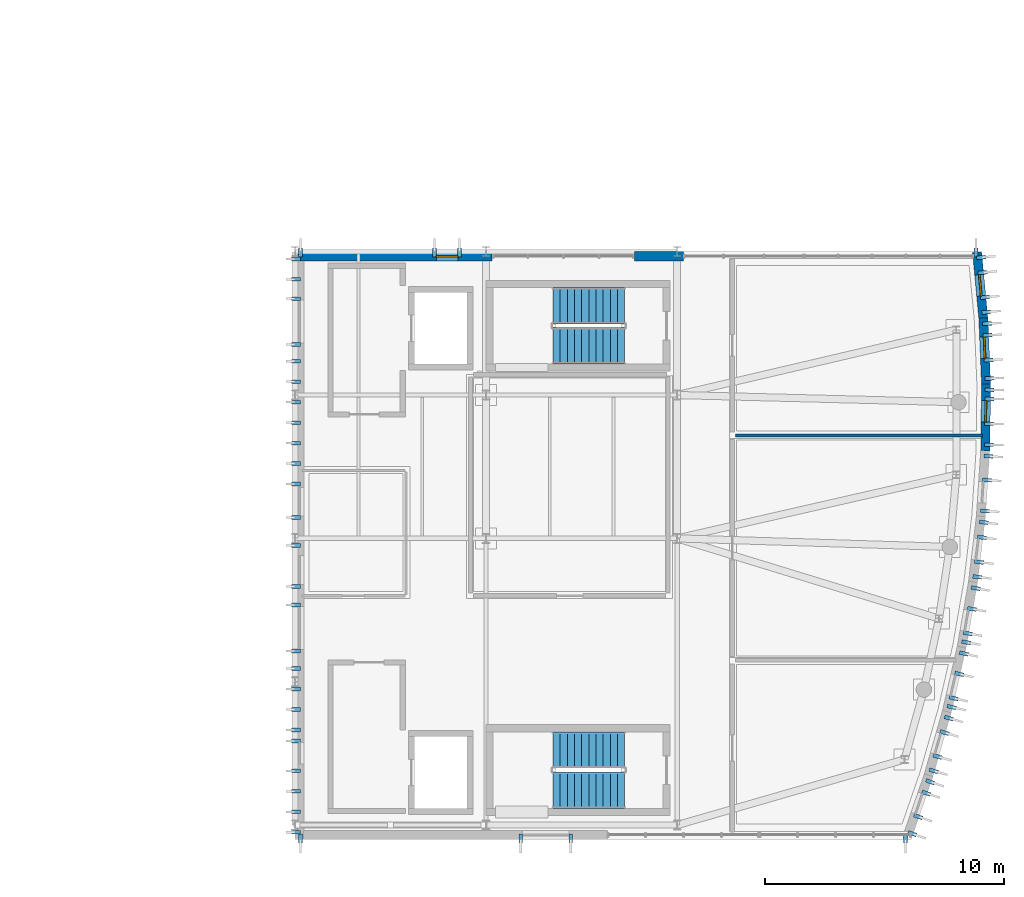
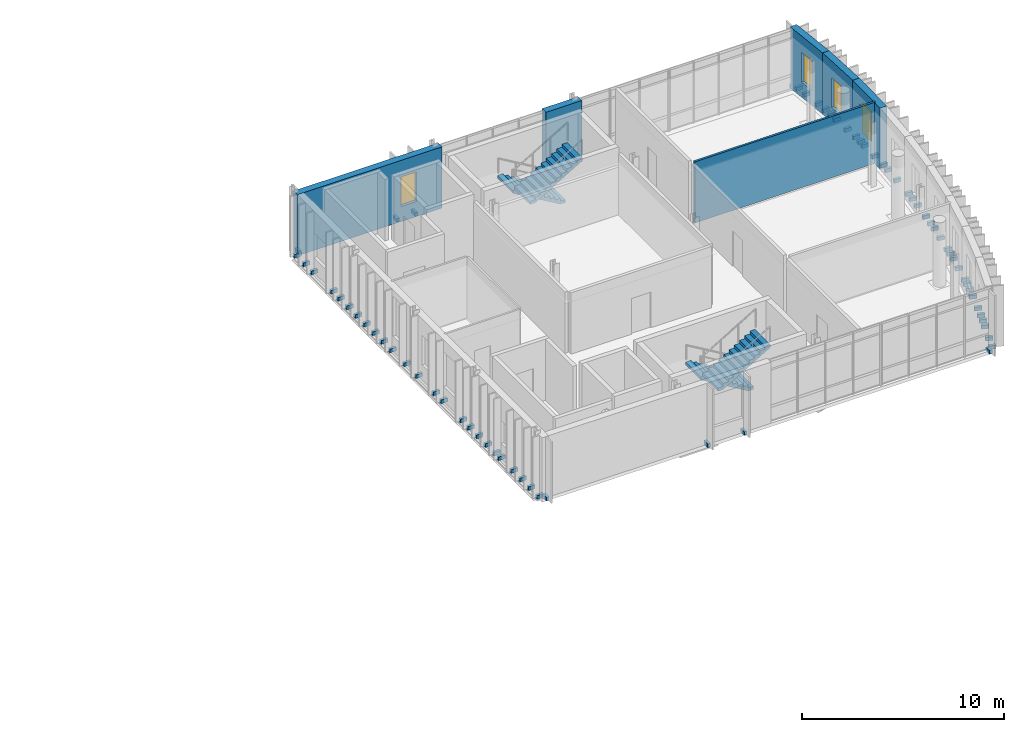
# One storey, part 11 of 14: 68 discrete accessories, 6 walls, 4 stair flights, 4 windows, 4 openings, 2 elements without a shape of their own.
"""IFC4 building model written with IfcOpenShell, lengths in metres."""

from ifc_helpers import new_model, si_unit, direction, frame, frame_2d, origin, origin_2d, place, context, subcontext, project, spatial, polyline, rectangle, outline, extrude, material, layer, layer_set, type_object, element, fill, aggregate, save


model = new_model("IFC4")

# Units and contexts
model_context = context("Model", 3, precision=1e-05, world=origin(), true_north=direction((0.0, 1.0)))
body_context = subcontext(model_context, "Body", "Model", "MODEL_VIEW")
ifc_project = project(units=[si_unit("LENGTHUNIT", "METRE"), si_unit("AREAUNIT", "SQUARE_METRE"), si_unit("VOLUMEUNIT", "CUBIC_METRE"), si_unit("PLANEANGLEUNIT", "RADIAN"), si_unit("MASSUNIT", "GRAM", prefix="KILO")], contexts=[model_context])

# Site, building, storey
site_placement = place(None, origin())
site = spatial("IfcSite", under=ifc_project, at=site_placement, CompositionType="ELEMENT")
building_placement = place(site_placement, origin())
building = spatial("IfcBuilding", under=site, at=building_placement, Name="Cymarion Research Institute", CompositionType="ELEMENT")
storey_placement = place(building_placement, frame((0.0, 0.0, 34.5)))
storey = spatial("IfcBuildingStorey", under=building, at=storey_placement, Name="L08", CompositionType="ELEMENT", Elevation=34.5)

# Wall, opening, window
ifc_material_1 = material(Name="Precast concrete C40/50", Category="concrete")
ifc_layer_1 = layer(ifc_material_1, 0.3798828125)
ifc_layer_set_1 = layer_set([ifc_layer_1], Name="Precast concrete C40/50")
wall_type_1 = type_object("IfcWallType", Name="EXTERIOR WALL EW-PC380 380MM", PredefinedType="SOLIDWALL", material=ifc_layer_set_1)
wall_1_placement = place(storey_placement, frame((167.4970703125, 21.167724609375, 0.0), z_axis=(0.0, 0.0, 1.0), x_axis=(0.012157953676, 0.99992608935, 0.0)))
wall_1 = element("IfcWall", 1, at=wall_1_placement, inside=storey, type_object=wall_type_1, Name="L08 V1 exterior wall EW-PC380 #304", PredefinedType="SOLIDWALL", context=body_context, shape_type="SweptSolid", body=[
    extrude(rectangle(XDim=2.791259765625, YDim=0.3798828125, at=frame_2d((1.3955078125, 0.0))), origin(), (0.0, 0.0, 1.0), 3.699951171875),
])
opening_1_placement = place(wall_1_placement, frame((1.201904296875, 0.0, 0.89990234375)))
opening_1 = element("IfcOpeningElement", 2, at=opening_1_placement, cuts=wall_1, Name="Opening W24", PredefinedType="OPENING", context=body_context, shape_type="SweptSolid", body=[
    extrude(rectangle(XDim=0.89990234375, YDim=1.800048828125, at=frame_2d((0.449951171875, 0.89990234375))), frame((0.0, 0.199951171875, 0.0), z_axis=(0.0, -1.0, 0.0), x_axis=(1.0, 0.0, 0.0)), (0.0, 0.0, 1.0), 0.39990234375),
])
ifc_material_2 = material(Name="Thermally broken aluminium window with Low-E glazing", Category="aluminium")
window_type = type_object("IfcWindowType", Name="THERMALLY BROKEN ALUMINIUM WINDOW W24 900X1800", PartitioningType="SINGLE_PANEL", PredefinedType="WINDOW", material=ifc_material_2)
window_1_placement = place(opening_1_placement, origin())
window_1 = element("IfcWindow", 3, at=window_1_placement, inside=storey, type_object=window_type, Name="L08 V1 facade window W24 #537", OverallHeight=1.800048828125, OverallWidth=0.89990234375, PartitioningType="SINGLE_PANEL", PredefinedType="WINDOW", context=body_context, shape_type="SweptSolid", body=[
    extrude(rectangle(XDim=0.89990234375, YDim=1.800048828125, at=frame_2d((0.449951171875, 0.89990234375))), frame((0.0, 0.030029296875, 0.0), z_axis=(0.0, -1.0, 0.0), x_axis=(1.0, 0.0, 0.0)), (0.0, 0.0, 1.0), 0.06005859375),
])
fill(opening_1, window_1)

wall_2_placement = place(storey_placement, frame((167.53173828125, 23.9365234375, 0.0), z_axis=(0.0, 0.0, 1.0), x_axis=(-0.041284914613, 0.999147414462, 0.0)))
wall_2 = element("IfcWall", 4, at=wall_2_placement, inside=storey, type_object=wall_type_1, Name="L08 V1 exterior wall EW-PC380 #305", PredefinedType="SOLIDWALL", context=body_context, shape_type="SweptSolid", body=[
    extrude(rectangle(XDim=2.791259765625, YDim=0.3798828125, at=frame_2d((1.3955078125, 0.0))), origin(), (0.0, 0.0, 1.0), 3.699951171875),
])
opening_2_placement = place(wall_2_placement, frame((1.093017578125, 0.0, 0.89990234375)))
opening_2 = element("IfcOpeningElement", 5, at=opening_2_placement, cuts=wall_2, Name="Opening W24", PredefinedType="OPENING", context=body_context, shape_type="SweptSolid", body=[
    extrude(rectangle(XDim=0.89990234375, YDim=1.800048828125, at=frame_2d((0.449951171875, 0.89990234375))), frame((0.0, 0.199951171875, 0.0), z_axis=(0.0, -1.0, 0.0), x_axis=(1.0, 0.0, 0.0)), (0.0, 0.0, 1.0), 0.39990234375),
])
window_2_placement = place(opening_2_placement, origin())
window_2 = element("IfcWindow", 6, at=window_2_placement, inside=storey, type_object=window_type, Name="L08 V1 facade window W24 #538", OverallHeight=1.800048828125, OverallWidth=0.89990234375, PartitioningType="SINGLE_PANEL", PredefinedType="WINDOW", context=body_context, shape_type="SweptSolid", body=[
    extrude(rectangle(XDim=0.89990234375, YDim=1.800048828125, at=frame_2d((0.449951171875, 0.89990234375))), frame((0.0, 0.030029296875, 0.0), z_axis=(0.0, -1.0, 0.0), x_axis=(1.0, 0.0, 0.0)), (0.0, 0.0, 1.0), 0.06005859375),
])
fill(opening_2, window_2)

wall_3_placement = place(storey_placement, frame((167.418212890625, 26.703369140625, 0.0), z_axis=(0.0, 0.0, 1.0), x_axis=(-0.094557288026, 0.99551942185, 0.0)))
wall_3 = element("IfcWall", 7, at=wall_3_placement, inside=storey, type_object=wall_type_1, Name="L08 V1 exterior wall EW-PC380 #306", PredefinedType="SOLIDWALL", context=body_context, shape_type="SweptSolid", body=[
    extrude(rectangle(XDim=2.791015625, YDim=0.3798828125, at=frame_2d((1.3955078125, 0.0))), origin(), (0.0, 0.0, 1.0), 3.699951171875),
])
opening_3_placement = place(wall_3_placement, frame((0.946044921875, 0.0, 0.89990234375)))
opening_3 = element("IfcOpeningElement", 8, at=opening_3_placement, cuts=wall_3, Name="Opening W24", PredefinedType="OPENING", context=body_context, shape_type="SweptSolid", body=[
    extrude(rectangle(XDim=0.89990234375, YDim=1.800048828125, at=frame_2d((0.449951171875, 0.89990234375))), frame((0.0, 0.199951171875, 0.0), z_axis=(0.0, -1.0, 0.0), x_axis=(1.0, 0.0, 0.0)), (0.0, 0.0, 1.0), 0.39990234375),
])
window_3_placement = place(opening_3_placement, origin())
window_3 = element("IfcWindow", 9, at=window_3_placement, inside=storey, type_object=window_type, Name="L08 V1 facade window W24 #539", OverallHeight=1.800048828125, OverallWidth=0.89990234375, PartitioningType="SINGLE_PANEL", PredefinedType="WINDOW", context=body_context, shape_type="SweptSolid", body=[
    extrude(rectangle(XDim=0.89990234375, YDim=1.800048828125, at=frame_2d((0.449951171875, 0.89990234375))), frame((0.0, 0.030029296875, 0.0), z_axis=(0.0, -1.0, 0.0), x_axis=(1.0, 0.0, 0.0)), (0.0, 0.0, 1.0), 0.06005859375),
])
fill(opening_3, window_3)

# Wall
wall_4_placement = place(storey_placement, frame((154.860107421875, 29.31005859375, 0.0), z_axis=(0.0, 0.0, 1.0), x_axis=(-1.0, 0.0, 0.0)))
element("IfcWall", 10, at=wall_4_placement, inside=storey, type_object=wall_type_1, Name="L08 V1 facade pier wall EW-PC380 #307", PredefinedType="SOLIDWALL", context=body_context, shape_type="SweptSolid", body=[
    extrude(rectangle(XDim=2.05224609375, YDim=0.3798828125, at=frame_2d((1.026123046875, 0.0))), origin(), (0.0, 0.0, 1.0), 3.699951171875),
])

# Wall, opening, window
wall_5_placement = place(storey_placement, frame((146.860107421875, 29.31005859375, 0.0), z_axis=(0.0, 0.0, 1.0), x_axis=(-1.0, 0.0, 0.0)))
wall_5 = element("IfcWall", 11, at=wall_5_placement, inside=storey, type_object=wall_type_1, Name="L08 V1 facade pier wall EW-PC380 #308", PredefinedType="SOLIDWALL", context=body_context, shape_type="SweptSolid", body=[
    extrude(rectangle(XDim=8.260009765625, YDim=0.3798828125, at=frame_2d((4.1298828125, 0.0))), origin(), (0.0, 0.0, 1.0), 3.699951171875),
])
opening_4_placement = place(wall_5_placement, frame((1.44091796875, 0.0, 0.89990234375)))
opening_4 = element("IfcOpeningElement", 12, at=opening_4_placement, cuts=wall_5, Name="Opening W24", PredefinedType="OPENING", context=body_context, shape_type="SweptSolid", body=[
    extrude(rectangle(XDim=0.89990234375, YDim=1.800048828125, at=frame_2d((0.449951171875, 0.89990234375))), frame((0.0, 0.199951171875, 0.0), z_axis=(0.0, -1.0, 0.0), x_axis=(1.0, 0.0, 0.0)), (0.0, 0.0, 1.0), 0.39990234375),
])
window_4_placement = place(opening_4_placement, origin())
window_4 = element("IfcWindow", 13, at=window_4_placement, inside=storey, type_object=window_type, Name="L08 V1 facade window W24 #540", OverallHeight=1.800048828125, OverallWidth=0.89990234375, PartitioningType="SINGLE_PANEL", PredefinedType="WINDOW", context=body_context, shape_type="SweptSolid", body=[
    extrude(rectangle(XDim=0.89990234375, YDim=1.800048828125, at=frame_2d((0.449951171875, 0.89990234375))), frame((0.0, 0.030029296875, 0.0), z_axis=(0.0, -1.0, 0.0), x_axis=(1.0, 0.0, 0.0)), (0.0, 0.0, 1.0), 0.06005859375),
])
fill(opening_4, window_4)

# Wall
ifc_material_3 = material(Name="Service riser shaft wall", Category="gypsum")
ifc_layer_2 = layer(ifc_material_3, 0.1201171875)
ifc_layer_set_2 = layer_set([ifc_layer_2], Name="Service riser shaft wall")
wall_type_2 = type_object("IfcWallType", Name="INTERIOR PARTITION IW-SH120 120MM", PredefinedType="PARTITIONING", material=ifc_layer_set_2)
wall_6_placement = place(storey_placement, frame((157.050048828125, 21.800048828125, 0.0), z_axis=(0.0, 0.0, 1.0), x_axis=(1.0, 0.0, 0.0)))
element("IfcWall", 14, at=wall_6_placement, inside=storey, type_object=wall_type_2, Name="L08 V1 interior partition IW-SH120 #405", PredefinedType="PARTITIONING", context=body_context, shape_type="SweptSolid", body=[
    extrude(rectangle(XDim=10.339599609375, YDim=0.1201171875, at=frame_2d((5.169921875, 0.0))), origin(), (0.0, 0.0, 1.0), 3.699951171875),
])

# Stair, stair flights
ifc_material_4 = material(Name="Concrete C35/45", Category="concrete")
stair_type = type_object("IfcStairType", Name="REINFORCED CONCRETE DOGLEG STAIR STR-3900", PredefinedType="HALF_TURN_STAIR", material=ifc_material_4)
stair_1_placement = place(storey_placement, origin())
stair_1 = element("IfcStair", 15, at=stair_1_placement, inside=storey, type_object=stair_type, Name="L08 Core C1 Smoke-Proof Exit Stair ST1", PredefinedType="HALF_TURN_STAIR")
stair_flight_type = type_object("IfcStairFlightType", Name="REINFORCED CONCRETE STAIR FLIGHT SFL-3900", PredefinedType="STRAIGHT", material=ifc_material_4)
stair_flight_1_placement = place(storey_placement, frame((152.39990234375, 8.639892578125, 0.0), z_axis=(0.0, 0.0, 1.0), x_axis=(-1.0, 0.0, 0.0)))
stair_flight_1 = element("IfcStairFlight", 16, at=stair_flight_1_placement, type_object=stair_flight_type, Name="ST1 flight 1", NumberOfRisers=11, NumberOfTreads=10, PredefinedType="STRAIGHT", RiserHeight=0.177272727, TreadLength=0.3, context=body_context, shape_type="SweptSolid", body=[
    extrude(outline(polyline([(0.0, 0.0), (0.0, 0.17724609375), (0.300048828125, 0.17724609375), (0.300048828125, 0.3544921875), (0.60009765625, 0.3544921875), (0.60009765625, 0.53173828125), (0.89990234375, 0.53173828125), (0.89990234375, 0.708984375), (1.199951171875, 0.708984375), (1.199951171875, 0.886474609375), (1.5, 0.886474609375), (1.5, 1.063720703125), (1.800048828125, 1.063720703125), (1.800048828125, 1.240966796875), (2.10009765625, 1.240966796875), (2.10009765625, 1.418212890625), (2.39990234375, 1.418212890625), (2.39990234375, 1.595458984375), (2.699951171875, 1.595458984375), (2.699951171875, 1.772705078125), (3.0, 1.772705078125), (3.0, 1.949951171875), (3.0, 1.5986328125), (0.294677734375, 0.0), (0.0, 0.0)])), frame((0.0, 0.760009765625, 0.0), z_axis=(0.0, -1.0, 0.0), x_axis=(1.0, 0.0, 0.0)), (0.0, 0.0, 1.0), 1.52001953125),
])
stair_flight_2_placement = place(storey_placement, frame((149.39990234375, 6.9599609375, 1.949951171875), z_axis=(0.0, 0.0, 1.0), x_axis=(1.0, 0.0, 0.0)))
stair_flight_2 = element("IfcStairFlight", 17, at=stair_flight_2_placement, type_object=stair_flight_type, Name="ST1 flight 2", NumberOfRisers=11, NumberOfTreads=10, PredefinedType="STRAIGHT", RiserHeight=0.177272727, TreadLength=0.3, context=body_context, shape_type="SweptSolid", body=[
    extrude(outline(polyline([(0.0, 0.0), (0.0, 0.17724609375), (0.300048828125, 0.17724609375), (0.300048828125, 0.3544921875), (0.60009765625, 0.3544921875), (0.60009765625, 0.53173828125), (0.89990234375, 0.53173828125), (0.89990234375, 0.708984375), (1.199951171875, 0.708984375), (1.199951171875, 0.886474609375), (1.5, 0.886474609375), (1.5, 1.063720703125), (1.800048828125, 1.063720703125), (1.800048828125, 1.240966796875), (2.10009765625, 1.240966796875), (2.10009765625, 1.418212890625), (2.39990234375, 1.418212890625), (2.39990234375, 1.595458984375), (2.699951171875, 1.595458984375), (2.699951171875, 1.772705078125), (3.0, 1.772705078125), (3.0, 1.949951171875), (3.0, 1.5986328125), (0.294677734375, 0.0), (0.0, 0.0)])), frame((0.0, 0.760009765625, 0.0), z_axis=(0.0, -1.0, 0.0), x_axis=(1.0, 0.0, 0.0)), (0.0, 0.0, 1.0), 1.52001953125),
])
aggregate(stair_1, [stair_flight_1, stair_flight_2])

stair_2_placement = place(storey_placement, origin())
stair_2 = element("IfcStair", 18, at=stair_2_placement, inside=storey, type_object=stair_type, Name="L08 Core C2 Smoke-Proof Exit Stair ST2", PredefinedType="HALF_TURN_STAIR")
stair_flight_3_placement = place(storey_placement, frame((152.39990234375, 27.239990234375, 0.0), z_axis=(0.0, 0.0, 1.0), x_axis=(-1.0, 0.0, 0.0)))
stair_flight_3 = element("IfcStairFlight", 19, at=stair_flight_3_placement, type_object=stair_flight_type, Name="ST2 flight 1", NumberOfRisers=11, NumberOfTreads=10, PredefinedType="STRAIGHT", RiserHeight=0.177272727, TreadLength=0.3, context=body_context, shape_type="SweptSolid", body=[
    extrude(outline(polyline([(0.0, 0.0), (0.0, 0.17724609375), (0.300048828125, 0.17724609375), (0.300048828125, 0.3544921875), (0.60009765625, 0.3544921875), (0.60009765625, 0.53173828125), (0.89990234375, 0.53173828125), (0.89990234375, 0.708984375), (1.199951171875, 0.708984375), (1.199951171875, 0.886474609375), (1.5, 0.886474609375), (1.5, 1.063720703125), (1.800048828125, 1.063720703125), (1.800048828125, 1.240966796875), (2.10009765625, 1.240966796875), (2.10009765625, 1.418212890625), (2.39990234375, 1.418212890625), (2.39990234375, 1.595458984375), (2.699951171875, 1.595458984375), (2.699951171875, 1.772705078125), (3.0, 1.772705078125), (3.0, 1.949951171875), (3.0, 1.5986328125), (0.294677734375, 0.0), (0.0, 0.0)])), frame((0.0, 0.760009765625, 0.0), z_axis=(0.0, -1.0, 0.0), x_axis=(1.0, 0.0, 0.0)), (0.0, 0.0, 1.0), 1.52001953125),
])
stair_flight_4_placement = place(storey_placement, frame((149.39990234375, 25.56005859375, 1.949951171875), z_axis=(0.0, 0.0, 1.0), x_axis=(1.0, 0.0, 0.0)))
stair_flight_4 = element("IfcStairFlight", 20, at=stair_flight_4_placement, type_object=stair_flight_type, Name="ST2 flight 2", NumberOfRisers=11, NumberOfTreads=10, PredefinedType="STRAIGHT", RiserHeight=0.177272727, TreadLength=0.3, context=body_context, shape_type="SweptSolid", body=[
    extrude(outline(polyline([(0.0, 0.0), (0.0, 0.17724609375), (0.300048828125, 0.17724609375), (0.300048828125, 0.3544921875), (0.60009765625, 0.3544921875), (0.60009765625, 0.53173828125), (0.89990234375, 0.53173828125), (0.89990234375, 0.708984375), (1.199951171875, 0.708984375), (1.199951171875, 0.886474609375), (1.5, 0.886474609375), (1.5, 1.063720703125), (1.800048828125, 1.063720703125), (1.800048828125, 1.240966796875), (2.10009765625, 1.240966796875), (2.10009765625, 1.418212890625), (2.39990234375, 1.418212890625), (2.39990234375, 1.595458984375), (2.699951171875, 1.595458984375), (2.699951171875, 1.772705078125), (3.0, 1.772705078125), (3.0, 1.949951171875), (3.0, 1.5986328125), (0.294677734375, 0.0), (0.0, 0.0)])), frame((0.0, 0.760009765625, 0.0), z_axis=(0.0, -1.0, 0.0), x_axis=(1.0, 0.0, 0.0)), (0.0, 0.0, 1.0), 1.52001953125),
])
aggregate(stair_2, [stair_flight_3, stair_flight_4])

# Discrete accessories
ifc_material_5 = material(Name="Steel S355", Category="steel")
discrete_accessory_type = type_object("IfcDiscreteAccessoryType", Name="STAINLESS STEEL FACADE FIN BRACKET FBK1", PredefinedType="BRACKET", material=ifc_material_5)
for number, where, z_axis, x_axis, name in (
    (21, (138.840087890625, 4.93994140625, -0.08984375), (0.0, 0.0, 1.0), (0.0, -1.0, 0.0), "L08 V1 precast fin anchor bracket #729"),
    (22, (148.055908203125, 4.93994140625, -0.08984375), (0.0, 0.0, 1.0), (0.0, -1.0, 0.0), "L08 V1 precast fin anchor bracket #730"),
    (23, (150.14599609375, 4.93994140625, -0.08984375), (0.0, 0.0, 1.0), (0.0, -1.0, 0.0), "L08 V1 precast fin anchor bracket #731"),
    (24, (164.159912109375, 4.93994140625, -0.08984375), (0.0, 0.0, 1.0), (0.0, -1.0, 0.0), "L08 V1 precast fin anchor bracket #732"),
    (25, (164.440673828125, 5.139892578125, -0.08984375), (0.0, 0.0, 1.0), (0.945120113509, -0.326723080054, 0.0), "L08 V1 precast fin anchor bracket #733"),
    (26, (164.6875, 5.85400390625, -0.08984375), (0.0, 0.0, 1.0), (0.945120113509, -0.326723080054, 0.0), "L08 V1 precast fin anchor bracket #734"),
    (27, (165.02734375, 6.8369140625, -0.08984375), (0.0, 0.0, 1.0), (0.945120113509, -0.326723080054, 0.0), "L08 V1 precast fin anchor bracket #735"),
    (28, (165.19189453125, 7.31298828125, -0.08984375), (0.0, 0.0, 1.0), (0.945120113509, -0.326723080054, 0.0), "L08 V1 precast fin anchor bracket #736"),
    (29, (165.3359375, 7.768310546875, -0.08984375), (0.0, 0.0, 1.0), (0.961213573504, -0.275805123434, 0.0), "L08 V1 precast fin anchor bracket #737"),
    (30, (165.508056640625, 8.3681640625, -0.08984375), (0.0, 0.0, 1.0), (0.961213573504, -0.275805123434, 0.0), "L08 V1 precast fin anchor bracket #738"),
    (31, (165.794921875, 9.367919921875, -0.08984375), (0.0, 0.0, 1.0), (0.961213573504, -0.275805123434, 0.0), "L08 V1 precast fin anchor bracket #739"),
    (32, (165.97021484375, 9.978515625, -0.08984375), (0.0, 0.0, 1.0), (0.961213573504, -0.275805123434, 0.0), "L08 V1 precast fin anchor bracket #740"),
    (33, (166.089599609375, 10.44091796875, -0.08984375), (0.0, 0.0, 1.0), (0.974566000575, -0.224100670509, 0.0), "L08 V1 precast fin anchor bracket #741"),
    (34, (166.175048828125, 10.812255859375, -0.08984375), (0.0, 0.0, 1.0), (0.974566000575, -0.224100670509, 0.0), "L08 V1 precast fin anchor bracket #742"),
    (35, (166.407958984375, 11.82568359375, -0.08984375), (0.0, 0.0, 1.0), (0.974566000575, -0.224100670509, 0.0), "L08 V1 precast fin anchor bracket #743"),
    (36, (166.604736328125, 12.681640625, -0.08984375), (0.0, 0.0, 1.0), (0.974566000575, -0.224100670509, 0.0), "L08 V1 precast fin anchor bracket #744"),
    (37, (166.69921875, 13.14990234375, -0.08984375), (0.0, 0.0, 1.0), (0.985139318439, -0.171757163649, 0.0), "L08 V1 precast fin anchor bracket #745"),
    (38, (166.764404296875, 13.523193359375, -0.08984375), (0.0, 0.0, 1.0), (0.985139318439, -0.171757163649, 0.0), "L08 V1 precast fin anchor bracket #746"),
    (39, (166.94287109375, 14.5478515625, -0.08984375), (0.0, 0.0, 1.0), (0.985139318439, -0.171757163649, 0.0), "L08 V1 precast fin anchor bracket #747"),
    (40, (167.093994140625, 15.4150390625, -0.08984375), (0.0, 0.0, 1.0), (0.985139318439, -0.171757163649, 0.0), "L08 V1 precast fin anchor bracket #748"),
    (41, (167.16357421875, 15.8876953125, -0.08984375), (0.0, 0.0, 1.0), (0.992924116831, -0.118750571435, 0.0), "L08 V1 precast fin anchor bracket #749"),
    (42, (167.237548828125, 16.507080078125, -0.08984375), (0.0, 0.0, 1.0), (0.992924116831, -0.118750571435, 0.0), "L08 V1 precast fin anchor bracket #750"),
    (43, (167.361083984375, 17.539794921875, -0.08984375), (0.0, 0.0, 1.0), (0.992924116831, -0.118750571435, 0.0), "L08 V1 precast fin anchor bracket #751"),
    (44, (167.436767578125, 18.170654296875, -0.08984375), (0.0, 0.0, 1.0), (0.992924116831, -0.118750571435, 0.0), "L08 V1 precast fin anchor bracket #752"),
    (45, (167.480712890625, 18.646240234375, -0.08984375), (0.0, 0.0, 1.0), (0.997847493041, -0.06557728747, 0.0), "L08 V1 precast fin anchor bracket #753"),
    (46, (167.565673828125, 19.9404296875, -0.08984375), (0.0, 0.0, 1.0), (0.997847493041, -0.06557728747, 0.0), "L08 V1 precast fin anchor bracket #754"),
    (47, (167.631591796875, 20.940673828125, -0.08984375), (0.0, 0.0, 1.0), (0.997847493041, -0.06557728747, 0.0), "L08 V1 precast fin anchor bracket #755"),
    (48, (167.64990234375, 21.41796875, -0.08984375), (0.0, 0.0, 1.0), (0.99992536966, -0.012217000835, 0.0), "L08 V1 precast fin anchor bracket #756"),
    (49, (167.660888671875, 22.2978515625, -0.08984375), (0.0, 0.0, 1.0), (0.99992536966, -0.012217000835, 0.0), "L08 V1 precast fin anchor bracket #757"),
    (50, (167.673583984375, 23.337646484375, -0.08984375), (0.0, 0.0, 1.0), (0.99992536966, -0.012217000835, 0.0), "L08 V1 precast fin anchor bracket #758"),
    (51, (167.677978515625, 23.716796875, -0.08984375), (0.0, 0.0, 1.0), (0.99992536966, -0.012217000835, 0.0), "L08 V1 precast fin anchor bracket #759"),
    (52, (167.671142578125, 24.194580078125, -0.08984375), (0.0, 0.0, 1.0), (0.999144619181, 0.041352508522, 0.0), "L08 V1 precast fin anchor bracket #760"),
    (53, (167.639404296875, 24.96484375, -0.08984375), (0.0, 0.0, 1.0), (0.999144619181, 0.041352508522, 0.0), "L08 V1 precast fin anchor bracket #761"),
    (54, (167.596435546875, 26.00390625, -0.08984375), (0.0, 0.0, 1.0), (0.999144619181, 0.041352508522, 0.0), "L08 V1 precast fin anchor bracket #762"),
    (55, (167.576171875, 26.49169921875, -0.08984375), (0.0, 0.0, 1.0), (0.999144619181, 0.041352508522, 0.0), "L08 V1 precast fin anchor bracket #763"),
    (56, (167.543701171875, 26.96826171875, -0.08984375), (0.0, 0.0, 1.0), (0.995512553138, 0.09462957542, 0.0), "L08 V1 precast fin anchor bracket #764"),
    (57, (167.48486328125, 27.589599609375, -0.08984375), (0.0, 0.0, 1.0), (0.995512553138, 0.09462957542, 0.0), "L08 V1 precast fin anchor bracket #765"),
    (58, (167.386474609375, 28.625, -0.08984375), (0.0, 0.0, 1.0), (0.995512553138, 0.09462957542, 0.0), "L08 V1 precast fin anchor bracket #766"),
    (59, (167.326416015625, 29.25732421875, -0.08984375), (0.0, 0.0, 1.0), (0.995512553138, 0.09462957542, 0.0), "L08 V1 precast fin anchor bracket #767"),
    (60, (167.103515625, 29.4599609375, -0.08984375), (0.0, 0.0, 1.0), (0.0, 1.0, 0.0), "L08 V1 precast fin anchor bracket #768"),
    (61, (145.489013671875, 29.4599609375, -0.08984375), (0.0, 0.0, 1.0), (0.0, 1.0, 0.0), "L08 V1 precast fin anchor bracket #769"),
    (62, (144.448974609375, 29.4599609375, -0.08984375), (0.0, 0.0, 1.0), (0.0, 1.0, 0.0), "L08 V1 precast fin anchor bracket #770"),
    (63, (138.840087890625, 29.4599609375, -0.08984375), (0.0, 0.0, 1.0), (0.0, 1.0, 0.0), "L08 V1 precast fin anchor bracket #771"),
    (64, (138.639892578125, 29.199951171875, -0.08984375), (0.0, 0.0, 1.0), (-1.0, 0.0, 0.0), "L08 V1 precast fin anchor bracket #772"),
    (65, (138.639892578125, 28.343017578125, -0.08984375), (0.0, 0.0, 1.0), (-1.0, 0.0, 0.0), "L08 V1 precast fin anchor bracket #773"),
    (66, (138.639892578125, 27.533935546875, -0.08984375), (0.0, 0.0, 1.0), (-1.0, 0.0, 0.0), "L08 V1 precast fin anchor bracket #774"),
    (67, (138.639892578125, 25.614013671875, -0.08984375), (0.0, 0.0, 1.0), (-1.0, 0.0, 0.0), "L08 V1 precast fin anchor bracket #775"),
    (68, (138.639892578125, 24.914306640625, -0.08984375), (0.0, 0.0, 1.0), (-1.0, 0.0, 0.0), "L08 V1 precast fin anchor bracket #776"),
    (69, (138.639892578125, 24.05712890625, -0.08984375), (0.0, 0.0, 1.0), (-1.0, 0.0, 0.0), "L08 V1 precast fin anchor bracket #777"),
    (70, (138.639892578125, 23.199951171875, -0.08984375), (0.0, 0.0, 1.0), (-1.0, 0.0, 0.0), "L08 V1 precast fin anchor bracket #778"),
    (71, (138.639892578125, 22.343017578125, -0.08984375), (0.0, 0.0, 1.0), (-1.0, 0.0, 0.0), "L08 V1 precast fin anchor bracket #779"),
    (72, (138.639892578125, 21.485595703125, -0.08984375), (0.0, 0.0, 1.0), (-1.0, 0.0, 0.0), "L08 V1 precast fin anchor bracket #780"),
    (73, (138.639892578125, 20.628662109375, -0.08984375), (0.0, 0.0, 1.0), (-1.0, 0.0, 0.0), "L08 V1 precast fin anchor bracket #781"),
    (74, (138.639892578125, 19.771484375, -0.08984375), (0.0, 0.0, 1.0), (-1.0, 0.0, 0.0), "L08 V1 precast fin anchor bracket #782"),
    (75, (138.639892578125, 18.3798828125, -0.08984375), (0.0, 0.0, 1.0), (-1.0, 0.0, 0.0), "L08 V1 precast fin anchor bracket #783"),
    (76, (138.639892578125, 17.199951171875, -0.08984375), (0.0, 0.0, 1.0), (-1.0, 0.0, 0.0), "L08 V1 precast fin anchor bracket #784"),
    (77, (138.639892578125, 15.485595703125, -0.08984375), (0.0, 0.0, 1.0), (-1.0, 0.0, 0.0), "L08 V1 precast fin anchor bracket #785"),
    (78, (138.639892578125, 14.7099609375, -0.08984375), (0.0, 0.0, 1.0), (-1.0, 0.0, 0.0), "L08 V1 precast fin anchor bracket #786"),
    (79, (138.639892578125, 12.7900390625, -0.08984375), (0.0, 0.0, 1.0), (-1.0, 0.0, 0.0), "L08 V1 precast fin anchor bracket #787"),
    (80, (138.639892578125, 12.05712890625, -0.08984375), (0.0, 0.0, 1.0), (-1.0, 0.0, 0.0), "L08 V1 precast fin anchor bracket #788"),
    (81, (138.639892578125, 11.199951171875, -0.08984375), (0.0, 0.0, 1.0), (-1.0, 0.0, 0.0), "L08 V1 precast fin anchor bracket #789"),
    (82, (138.639892578125, 10.343017578125, -0.08984375), (0.0, 0.0, 1.0), (-1.0, 0.0, 0.0), "L08 V1 precast fin anchor bracket #790"),
    (83, (138.639892578125, 9.485595703125, -0.08984375), (0.0, 0.0, 1.0), (-1.0, 0.0, 0.0), "L08 V1 precast fin anchor bracket #791"),
    (84, (138.639892578125, 9.02001953125, -0.08984375), (0.0, 0.0, 1.0), (-1.0, 0.0, 0.0), "L08 V1 precast fin anchor bracket #792"),
    (85, (138.639892578125, 7.771484375, -0.08984375), (0.0, 0.0, 1.0), (-1.0, 0.0, 0.0), "L08 V1 precast fin anchor bracket #793"),
    (86, (138.639892578125, 6.914306640625, -0.08984375), (0.0, 0.0, 1.0), (-1.0, 0.0, 0.0), "L08 V1 precast fin anchor bracket #794"),
    (87, (138.639892578125, 6.05712890625, -0.08984375), (0.0, 0.0, 1.0), (-1.0, 0.0, 0.0), "L08 V1 precast fin anchor bracket #795"),
    (88, (138.639892578125, 5.199951171875, -0.08984375), (0.0, 0.0, 1.0), (-1.0, 0.0, 0.0), "L08 V1 precast fin anchor bracket #796"),
):
    element("IfcDiscreteAccessory", number, at=place(storey_placement, frame(where, z_axis=z_axis, x_axis=x_axis)), inside=storey, type_object=discrete_accessory_type, Name=name, PredefinedType="BRACKET", context=body_context, shape_type="SweptSolid", body=[
        extrude(rectangle(XDim=0.3798828125, YDim=0.159912109375, at=origin_2d()), origin(), (0.0, 0.0, 1.0), 0.219970703125),
    ])

save(model, "model.ifc")
